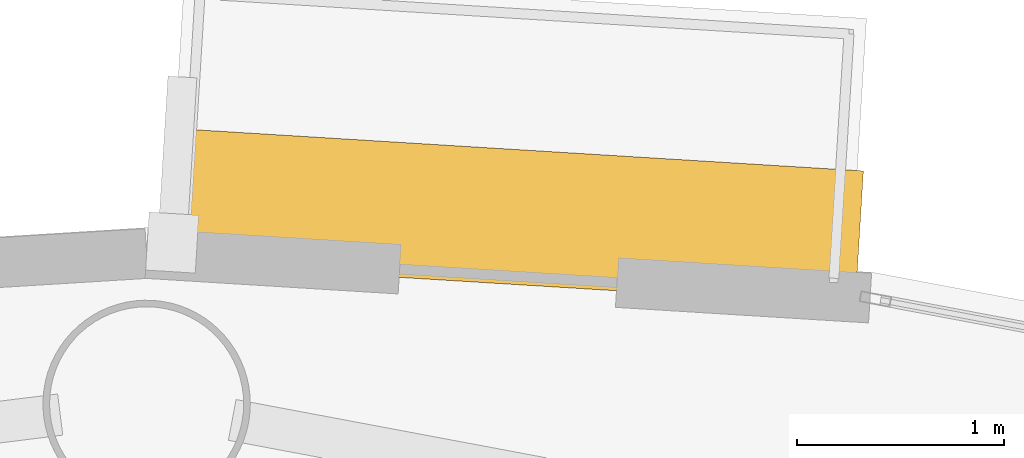
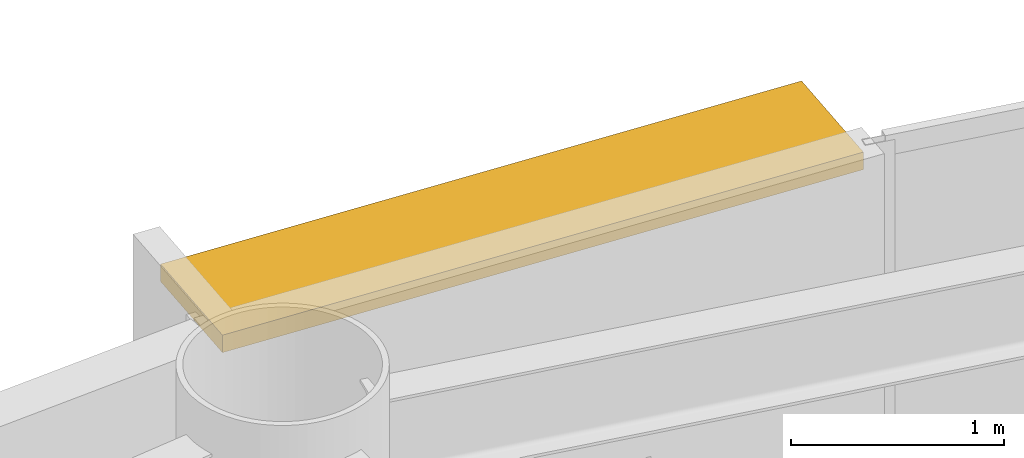
# One storey, part 20 of 20: 1 shading device.
"""IFC4 building model written with IfcOpenShell, lengths in metres."""

from ifc_helpers import new_model, si_unit, direction, frame, origin, origin_2d, place, context, subcontext, project, spatial, rectangle, extrude, source, transform, mapped, material, layer, layer_set, type_object, element, save


model = new_model("IFC4")

# Units and contexts
model_context = context("Model", 3, precision=1e-05, world=origin(), true_north=direction((0.0, 1.0)))
body_context = subcontext(model_context, "Body", "Model", "MODEL_VIEW")
ifc_project = project(units=[si_unit("LENGTHUNIT", "METRE"), si_unit("AREAUNIT", "SQUARE_METRE"), si_unit("VOLUMEUNIT", "CUBIC_METRE"), si_unit("PLANEANGLEUNIT", "RADIAN"), si_unit("MASSUNIT", "GRAM", prefix="KILO")], contexts=[model_context])

# Site, building, storey
site_placement = place(None, origin())
site = spatial("IfcSite", under=ifc_project, at=site_placement, CompositionType="ELEMENT")
building_placement = place(site_placement, origin())
building = spatial("IfcBuilding", under=site, at=building_placement, Name="Linh Dai School and Residence Tower", CompositionType="ELEMENT")
storey_placement = place(building_placement, frame((0.0, 0.0, 288.0)))
storey = spatial("IfcBuildingStorey", under=building, at=storey_placement, Name="L71", CompositionType="ELEMENT", Elevation=288.0)

# Shading device
ifc_material = material(Name="Terracotta Ceramic Sunshade", Category="masonry")
ifc_layer = layer(ifc_material, 0.10009765625)
ifc_layer_set = layer_set([ifc_layer], Name="Terracotta Ceramic Sunshade")
shading_device_type = type_object("IfcShadingDeviceType", Name="SHD-TC-650", PredefinedType="USERDEFINED", material=ifc_layer_set)
shared_shape = source(origin(), body_context, "Body", "SweptSolid", [
    extrude(rectangle(XDim=3.355712890625, YDim=0.64990234375, at=origin_2d()), origin(), (0.0, 0.0, 1.0), 0.10009765625),
])
shading_device_placement = place(storey_placement, frame((37.761962890625, 44.592041015625, 3.3798828125), z_axis=(0.0, 0.0, 1.0), x_axis=(0.998106469364, -0.061509965157, 0.0)))
element("IfcShadingDevice", 1, at=shading_device_placement, inside=storey, type_object=shading_device_type, Name="L71 Terracotta Horizontal Sunshade Band 10", ObjectType="SUNSHADE", PredefinedType="USERDEFINED", context=body_context, shape_type="MappedRepresentation", body=[
    mapped(shared_shape, transform((0.0, 0.0, 0.0), x_axis=(1.0, 0.0, 0.0), y_axis=(0.0, 1.0, 0.0), z_axis=(0.0, 0.0, 1.0), scale=1.0)),
])

save(model, "model.ifc")
